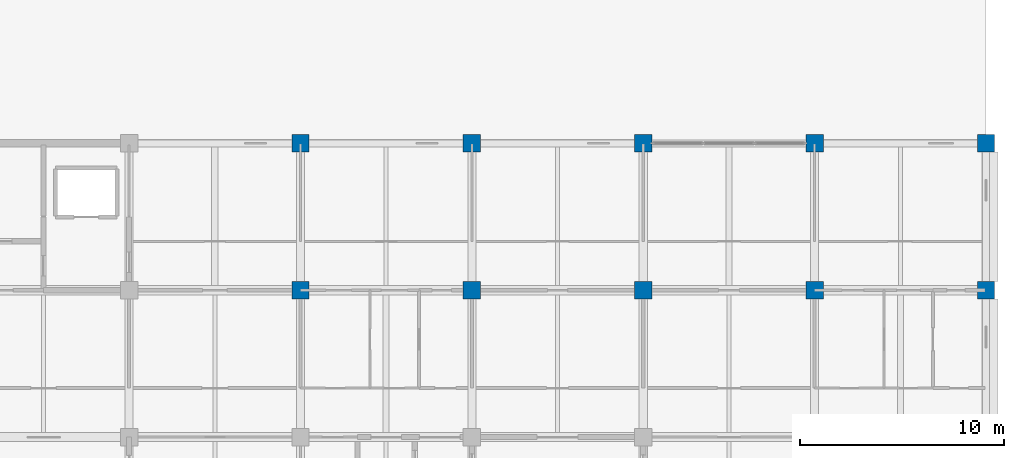
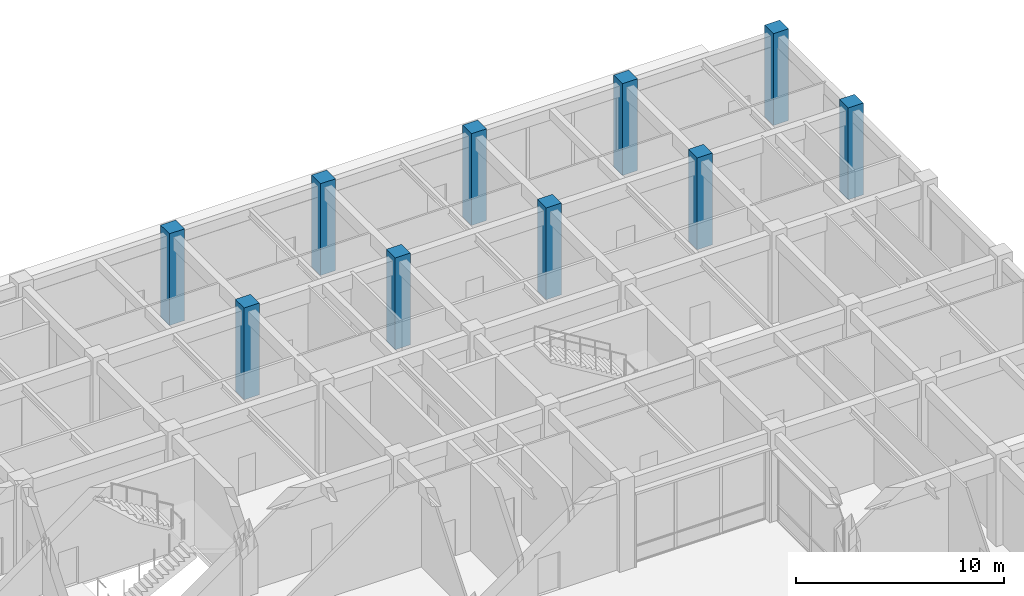
# One storey, part 7 of 73: 10 columns.
"""IFC4 building model written with IfcOpenShell, lengths in metres."""

from ifc_helpers import new_model, si_unit, direction, frame, origin, origin_2d, place, context, subcontext, project, spatial, rectangle, extrude, material, material_profile, profile_set, type_object, element, save


model = new_model("IFC4")

# Units and contexts
model_context = context("Model", 3, precision=1e-05, world=origin(), true_north=direction((0.0, 1.0)))
body_context = subcontext(model_context, "Body", "Model", "MODEL_VIEW")
ifc_project = project(units=[si_unit("LENGTHUNIT", "METRE"), si_unit("AREAUNIT", "SQUARE_METRE"), si_unit("VOLUMEUNIT", "CUBIC_METRE"), si_unit("PLANEANGLEUNIT", "RADIAN"), si_unit("MASSUNIT", "GRAM", prefix="KILO")], contexts=[model_context])

# Site, building, storey
site_placement = place(None, origin())
site = spatial("IfcSite", under=ifc_project, at=site_placement, CompositionType="ELEMENT")
building_placement = place(site_placement, origin())
building = spatial("IfcBuilding", under=site, at=building_placement, Name="Chengyuan Square Courthouse", CompositionType="ELEMENT")
storey_placement = place(building_placement, origin())
storey = spatial("IfcBuildingStorey", under=building, at=storey_placement, Name="L01", CompositionType="ELEMENT", Elevation=0.0)

# Columns
ifc_material = material(Name="Concrete C50", Category="concrete")
ifc_material_profile = material_profile(ifc_material, rectangle(XDim=0.85009765625, YDim=0.85009765625, at=origin_2d()), Name="RC-COL-850x850")
ifc_profile_set = profile_set([ifc_material_profile], Name="Concrete C50")
column_type = type_object("IfcColumnType", Name="CL-03", PredefinedType="COLUMN", material=ifc_profile_set)
for number, where, z_axis, x_axis, name in (
    (1, (134.39990234375, 100.800048828125, 0.0), (0.0, 0.0, 1.0), (1.0, 0.0, 0.0), "Column CL-L01-133"),
    (2, (134.39990234375, 108.0, 0.0), (0.0, 0.0, 1.0), (1.0, 0.0, 0.0), "Column CL-L01-134"),
    (3, (142.800048828125, 100.800048828125, 0.0), (0.0, 0.0, 1.0), (1.0, 0.0, 0.0), "Column CL-L01-138"),
    (4, (142.800048828125, 108.0, 0.0), (0.0, 0.0, 1.0), (1.0, 0.0, 0.0), "Column CL-L01-139"),
    (5, (151.199951171875, 100.800048828125, 0.0), (0.0, 0.0, 1.0), (1.0, 0.0, 0.0), "Column CL-L01-154"),
    (6, (151.199951171875, 108.0, 0.0), (0.0, 0.0, 1.0), (1.0, 0.0, 0.0), "Column CL-L01-155"),
    (7, (159.60009765625, 100.800048828125, 0.0), (0.0, 0.0, 1.0), (1.0, 0.0, 0.0), "Column CL-L01-170"),
    (8, (159.60009765625, 108.0, 0.0), (0.0, 0.0, 1.0), (1.0, 0.0, 0.0), "Column CL-L01-171"),
    (9, (168.0, 100.800048828125, 0.0), (0.0, 0.0, 1.0), (1.0, 0.0, 0.0), "Column CL-L01-186"),
    (10, (168.0, 108.0, 0.0), (0.0, 0.0, 1.0), (1.0, 0.0, 0.0), "Column CL-L01-187"),
):
    element("IfcColumn", number, at=place(storey_placement, frame(where, z_axis=z_axis, x_axis=x_axis)), inside=storey, type_object=column_type, Name=name, PredefinedType="COLUMN", context=body_context, shape_type="SweptSolid", body=[
        extrude(rectangle(XDim=0.85009765625, YDim=0.85009765625, at=origin_2d()), origin(), (0.0, 0.0, 1.0), 5.39990234375),
    ])

save(model, "model.ifc")
